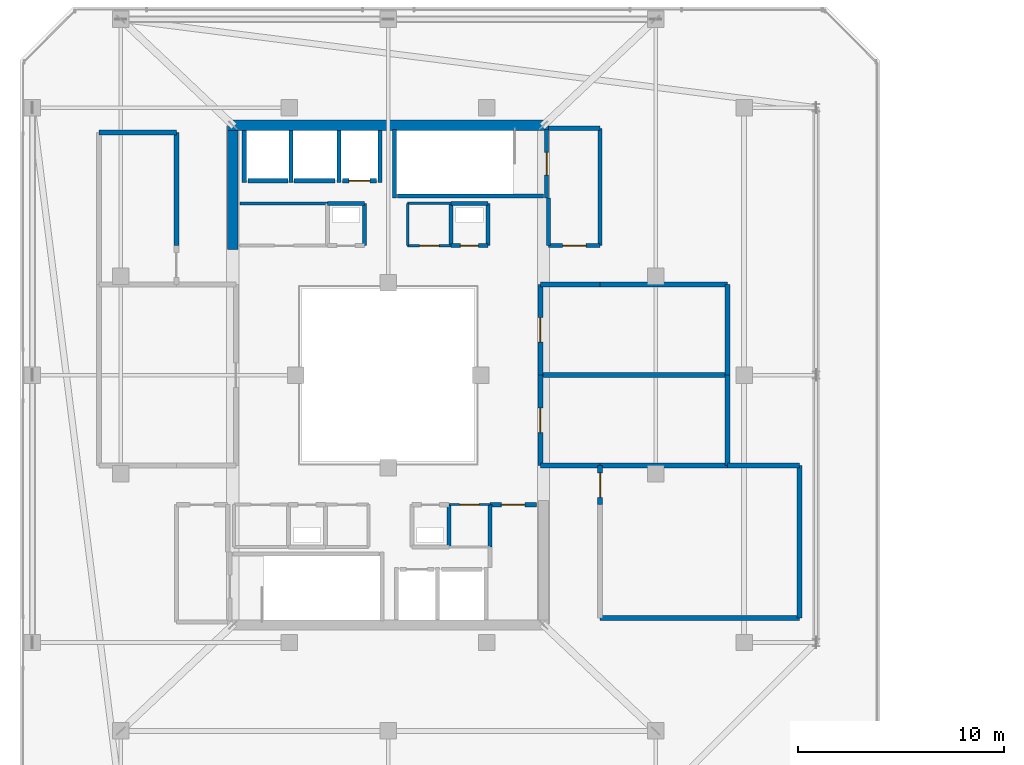
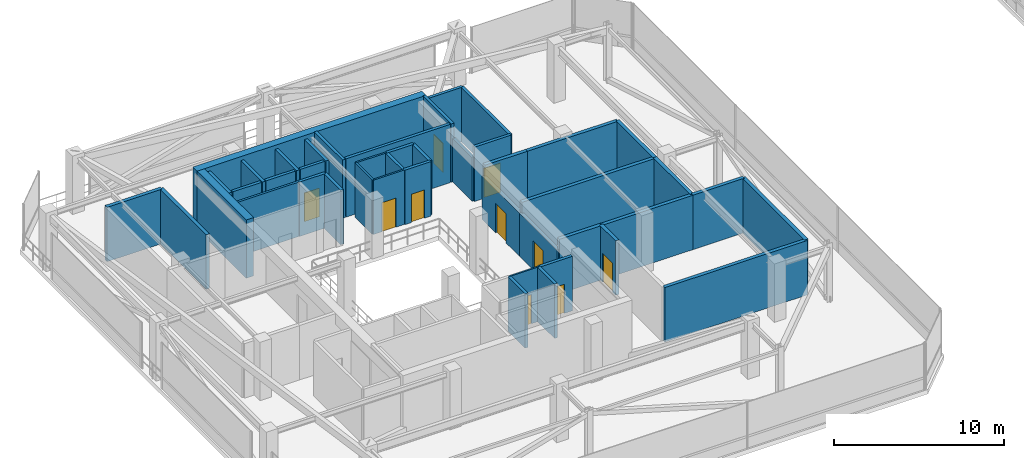
# One storey, part 42 of 47: 45 walls, 10 doors, 10 openings.
"""IFC4 building model written with IfcOpenShell, lengths in metres."""

from ifc_helpers import new_model, si_unit, direction, frame, frame_2d, origin, place, context, subcontext, project, spatial, rectangle, extrude, material, layer, layer_set, type_object, element, fill, save


model = new_model("IFC4")

# Units and contexts
model_context = context("Model", 3, precision=1e-05, world=origin(), true_north=direction((0.0, 1.0)))
body_context = subcontext(model_context, "Body", "Model", "MODEL_VIEW")
ifc_project = project(units=[si_unit("LENGTHUNIT", "METRE"), si_unit("AREAUNIT", "SQUARE_METRE"), si_unit("VOLUMEUNIT", "CUBIC_METRE"), si_unit("PLANEANGLEUNIT", "RADIAN"), si_unit("MASSUNIT", "GRAM", prefix="KILO")], contexts=[model_context])

# Site, building, storey
site_placement = place(None, origin())
site = spatial("IfcSite", under=ifc_project, at=site_placement, CompositionType="ELEMENT")
building_placement = place(site_placement, origin())
building = spatial("IfcBuilding", under=site, at=building_placement, Name="Thornwick Lancets Civic Towers", CompositionType="ELEMENT")
storey_placement = place(building_placement, frame((0.0, 0.0, 279.89990234375)))
storey = spatial("IfcBuildingStorey", under=building, at=storey_placement, Name="C01", CompositionType="ELEMENT", Elevation=279.89990234375)

# Wall, opening, door
ifc_material_1 = material(Name="Concrete blockwork C40/50", Category="masonry")
ifc_layer_1 = layer(ifc_material_1, 0.199951171875, Name="Concrete blockwork C40/50")
ifc_layer_set_1 = layer_set([ifc_layer_1], Name="Concrete blockwork C40/50")
wall_type_1 = type_object("IfcWallType", Name="WALL_COMP_200", PredefinedType="STANDARD", material=ifc_layer_set_1)
wall_1_placement = place(storey_placement, frame((24.919921875, 36.449951171875, 0.0), z_axis=(0.0, 0.0, 1.0), x_axis=(-1.0, 0.0, 0.0)))
wall_1 = element("IfcWall", 1, at=wall_1_placement, inside=storey, type_object=wall_type_1, Name="C01 Hoistway Front Wall FL-A2", PredefinedType="STANDARD", context=body_context, shape_type="SweptSolid", body=[
    extrude(rectangle(XDim=1.639892578125, YDim=0.199951171875, at=frame_2d((0.81982421875, 0.0))), origin(), (0.0, 0.0, 1.0), 3.920166015625),
])
opening_1_placement = place(wall_1_placement, frame((0.31005859375, 0.0, 0.0)))
opening_1 = element("IfcOpeningElement", 2, at=opening_1_placement, cuts=wall_1, Name="Opening LD-FL-A2", PredefinedType="OPENING", context=body_context, shape_type="SweptSolid", body=[
    extrude(rectangle(XDim=1.02001953125, YDim=2.06005859375, at=frame_2d((0.510009765625, 1.030029296875))), frame((0.0, 0.10986328125, 0.0), z_axis=(0.0, -1.0, 0.0), x_axis=(1.0, 0.0, 0.0)), (0.0, 0.0, 1.0), 0.219970703125),
])
ifc_material_2 = material(Name="Brushed bronze stainless steel", Category="steel")
door_type_1 = type_object("IfcDoorType", Name="DOOR_LIFT_SLIDE", OperationType="SLIDING_TO_LEFT", PredefinedType="DOOR", material=ifc_material_2)
door_1_placement = place(opening_1_placement, origin())
door_1 = element("IfcDoor", 3, at=door_1_placement, inside=storey, type_object=door_type_1, Name="C01 Sliding Lift Landing Door LD-FL-A2", OperationType="SLIDING_TO_LEFT", OverallHeight=2.06005859375, OverallWidth=1.02001953125, PredefinedType="DOOR", context=body_context, shape_type="SweptSolid", body=[
    extrude(rectangle(XDim=1.02001953125, YDim=2.06005859375, at=frame_2d((0.510009765625, 1.030029296875))), frame((0.0, 0.02490234375, 0.0), z_axis=(0.0, -1.0, 0.0), x_axis=(1.0, 0.0, 0.0)), (0.0, 0.0, 1.0), 0.050048828125),
])
fill(opening_1, door_1)

# Walls
wall_2_placement = place(storey_placement, frame((22.919921875, 36.449951171875, 0.0), z_axis=(0.0, 0.0, 1.0), x_axis=(-1.0, 0.0, 0.0)))
element("IfcWall", 4, at=wall_2_placement, inside=storey, type_object=wall_type_1, Name="C01 Hoistway Front Wall PL-AH2", PredefinedType="STANDARD", context=body_context, shape_type="SweptSolid", body=[
    extrude(rectangle(XDim=1.989990234375, YDim=0.199951171875, at=frame_2d((0.9951171875, 0.0))), origin(), (0.0, 0.0, 1.0), 3.920166015625),
])
wall_3_placement = place(storey_placement, frame((20.6201171875, 36.449951171875, 0.0), z_axis=(0.0, 0.0, 1.0), x_axis=(-1.0, 0.0, 0.0)))
element("IfcWall", 5, at=wall_3_placement, inside=storey, type_object=wall_type_1, Name="C01 Hoistway Front Wall PL-AH3", PredefinedType="STANDARD", context=body_context, shape_type="SweptSolid", body=[
    extrude(rectangle(XDim=1.940185546875, YDim=0.199951171875, at=frame_2d((0.97021484375, 0.0))), origin(), (0.0, 0.0, 1.0), 3.920166015625),
])
for number, where, z_axis, x_axis, name in (
    (6, (25.10009765625, 36.35205078125, 0.0), (0.0, 0.0, 1.0), (0.0, 1.0, 0.0), "C01 Hoistway Shaft Wall FL-A2 E"),
    (7, (23.10009765625, 36.35205078125, 0.0), (0.0, 0.0, 1.0), (0.0, 1.0, 0.0), "C01 Hoistway Shaft Wall FL-A2 W"),
    (8, (20.77490234375, 36.35205078125, 0.0), (0.0, 0.0, 1.0), (0.0, 1.0, 0.0), "C01 Hoistway Shaft Wall PL-AH2 W"),
    (9, (18.5, 36.35205078125, 0.0), (0.0, 0.0, 1.0), (0.0, 1.0, 0.0), "C01 Hoistway Shaft Wall PL-AH3 W"),
):
    element("IfcWall", number, at=place(storey_placement, frame(where, z_axis=z_axis, x_axis=x_axis)), inside=storey, type_object=wall_type_1, Name=name, PredefinedType="STANDARD", context=body_context, shape_type="SweptSolid", body=[
        extrude(rectangle(XDim=2.535888671875, YDim=0.199951171875, at=frame_2d((1.26806640625, 0.0))), origin(), (0.0, 0.0, 1.0), 3.920166015625),
    ])

# Wall, opening, door
wall_4_placement = place(storey_placement, frame((33.300048828125, 33.300048828125, 0.0), z_axis=(0.0, 0.0, 1.0), x_axis=(1.0, 0.0, 0.0)))
wall_4 = element("IfcWall", 10, at=wall_4_placement, inside=storey, type_object=wall_type_1, Name="C01 Partition C01-A-FFLOB2 E1", PredefinedType="STANDARD", context=body_context, shape_type="SweptSolid", body=[
    extrude(rectangle(XDim=2.5, YDim=0.199951171875, at=frame_2d((1.25, 0.0))), origin(), (0.0, 0.0, 1.0), 3.920166015625),
])
opening_2_placement = place(wall_4_placement, frame((0.675048828125, 0.0, 0.0)))
opening_2 = element("IfcOpeningElement", 11, at=opening_2_placement, cuts=wall_4, Name="Opening D-C01-3446", PredefinedType="OPENING", context=body_context, shape_type="SweptSolid", body=[
    extrude(rectangle(XDim=1.14990234375, YDim=2.10009765625, at=frame_2d((0.574951171875, 1.050048828125))), frame((0.0, 0.10986328125, 0.0), z_axis=(0.0, -1.0, 0.0), x_axis=(1.0, 0.0, 0.0)), (0.0, 0.0, 1.0), 0.219970703125),
])
ifc_material_3 = material(Name="Glazed fire-resisting steel", Category="steel")
door_type_2 = type_object("IfcDoorType", Name="DOOR_LOBBY_FD60", OperationType="NOTDEFINED", PredefinedType="DOOR", material=ifc_material_3)
door_2_placement = place(opening_2_placement, origin())
door_2 = element("IfcDoor", 12, at=door_2_placement, inside=storey, type_object=door_type_2, Name="C01 North Firefighting Lobby 2 Door", OperationType="SINGLE_SWING_LEFT", OverallHeight=2.10009765625, OverallWidth=1.14990234375, PredefinedType="DOOR", context=body_context, shape_type="SweptSolid", body=[
    extrude(rectangle(XDim=1.14990234375, YDim=2.10009765625, at=frame_2d((0.574951171875, 1.050048828125))), frame((0.0, 0.02490234375, 0.0), z_axis=(0.0, -1.0, 0.0), x_axis=(1.0, 0.0, 0.0)), (0.0, 0.0, 1.0), 0.050048828125),
])
fill(opening_2, door_2)

# Walls
wall_5_placement = place(storey_placement, frame((35.800048828125, 33.300048828125, 0.0), z_axis=(0.0, 0.0, 1.0), x_axis=(0.0, 1.0, 0.0)))
element("IfcWall", 13, at=wall_5_placement, inside=storey, type_object=wall_type_1, Name="C01 Partition C01-A-FFLOB2 E2", PredefinedType="STANDARD", context=body_context, shape_type="SweptSolid", body=[
    extrude(rectangle(XDim=5.699951171875, YDim=0.199951171875, at=frame_2d((2.85009765625, 0.0))), origin(), (0.0, 0.0, 1.0), 3.920166015625),
])
wall_6_placement = place(storey_placement, frame((35.800048828125, 39.0, 0.0), z_axis=(0.0, 0.0, 1.0), x_axis=(-1.0, 0.0, 0.0)))
element("IfcWall", 14, at=wall_6_placement, inside=storey, type_object=wall_type_1, Name="C01 Partition C01-A-FFLOB2 E3", PredefinedType="STANDARD", context=body_context, shape_type="SweptSolid", body=[
    extrude(rectangle(XDim=2.5, YDim=0.199951171875, at=frame_2d((1.25, 0.0))), origin(), (0.0, 0.0, 1.0), 3.920166015625),
])
wall_7_placement = place(storey_placement, frame((33.300048828125, 35.60009765625, 0.0), z_axis=(0.0, 0.0, 1.0), x_axis=(0.0, -1.0, 0.0)))
element("IfcWall", 15, at=wall_7_placement, inside=storey, type_object=wall_type_1, Name="C01 Partition C01-A-FFLOB2 E4", PredefinedType="STANDARD", context=body_context, shape_type="SweptSolid", body=[
    extrude(rectangle(XDim=2.300048828125, YDim=0.199951171875, at=frame_2d((1.14990234375, 0.0))), origin(), (0.0, 0.0, 1.0), 3.125),
])
for number, where, z_axis, x_axis, name in (
    (16, (28.449951171875, 18.64990234375, 0.0), (0.0, 0.0, 1.0), (0.0, 1.0, 0.0), "C01 Partition C01-A-DUCT1 E2"),
    (17, (24.35009765625, 33.300048828125, 0.0), (0.0, 0.0, 1.0), (0.0, 1.0, 0.0), "C01 Partition C01-A-DUCT2 E2"),
):
    element("IfcWall", number, at=place(storey_placement, frame(where, z_axis=z_axis, x_axis=x_axis)), inside=storey, type_object=wall_type_1, Name=name, PredefinedType="STANDARD", context=body_context, shape_type="SweptSolid", body=[
        extrude(rectangle(XDim=2.050048828125, YDim=0.199951171875, at=frame_2d((1.02490234375, 0.0))), origin(), (0.0, 0.0, 1.0), 3.920166015625),
    ])
wall_8_placement = place(storey_placement, frame((24.35009765625, 35.35009765625, 0.0), z_axis=(0.0, 0.0, 1.0), x_axis=(-1.0, 0.0, 0.0)))
element("IfcWall", 18, at=wall_8_placement, inside=storey, type_object=wall_type_1, Name="C01 Partition C01-A-DUCT2 E3", PredefinedType="STANDARD", context=body_context, shape_type="SweptSolid", body=[
    extrude(rectangle(XDim=1.800048828125, YDim=0.199951171875, at=frame_2d((0.89990234375, 0.0))), origin(), (0.0, 0.0, 1.0), 3.920166015625),
])

# Wall, opening, door
wall_9_placement = place(storey_placement, frame((28.550048828125, 33.300048828125, 0.0), z_axis=(0.0, 0.0, 1.0), x_axis=(1.0, 0.0, 0.0)))
wall_9 = element("IfcWall", 19, at=wall_9_placement, inside=storey, type_object=wall_type_1, Name="C01 Partition C01-A-RISER2 E1", PredefinedType="STANDARD", context=body_context, shape_type="SweptSolid", body=[
    extrude(rectangle(XDim=1.800048828125, YDim=0.199951171875, at=frame_2d((0.89990234375, 0.0))), origin(), (0.0, 0.0, 1.0), 3.920166015625),
])
opening_3_placement = place(wall_9_placement, frame((0.4599609375, 0.0, 0.0)))
opening_3 = element("IfcOpeningElement", 20, at=opening_3_placement, cuts=wall_9, Name="Opening D-C01-3450", PredefinedType="OPENING", context=body_context, shape_type="SweptSolid", body=[
    extrude(rectangle(XDim=0.8798828125, YDim=2.0400390625, at=frame_2d((0.43994140625, 1.02001953125))), frame((0.0, 0.10986328125, 0.0), z_axis=(0.0, -1.0, 0.0), x_axis=(1.0, 0.0, 0.0)), (0.0, 0.0, 1.0), 0.219970703125),
])
ifc_material_4 = material(Name="Steel riser access doorset", Category="steel")
door_type_3 = type_object("IfcDoorType", Name="DOOR_RISER_850", OperationType="NOTDEFINED", PredefinedType="DOOR", material=ifc_material_4)
door_3_placement = place(opening_3_placement, origin())
door_3 = element("IfcDoor", 21, at=door_3_placement, inside=storey, type_object=door_type_3, Name="C01 North Service Riser 2 Door", OperationType="SINGLE_SWING_LEFT", OverallHeight=2.0400390625, OverallWidth=0.8798828125, PredefinedType="DOOR", context=body_context, shape_type="SweptSolid", body=[
    extrude(rectangle(XDim=0.8798828125, YDim=2.0400390625, at=frame_2d((0.43994140625, 1.02001953125))), frame((0.0, 0.02490234375, 0.0), z_axis=(0.0, -1.0, 0.0), x_axis=(1.0, 0.0, 0.0)), (0.0, 0.0, 1.0), 0.050048828125),
])
fill(opening_3, door_3)

# Walls
wall_10_placement = place(storey_placement, frame((30.35009765625, 33.300048828125, 0.0), z_axis=(0.0, 0.0, 1.0), x_axis=(0.0, 1.0, 0.0)))
element("IfcWall", 22, at=wall_10_placement, inside=storey, type_object=wall_type_1, Name="C01 Partition C01-A-RISER2 E2", PredefinedType="STANDARD", context=body_context, shape_type="SweptSolid", body=[
    extrude(rectangle(XDim=2.050048828125, YDim=0.199951171875, at=frame_2d((1.02490234375, 0.0))), origin(), (0.0, 0.0, 1.0), 3.920166015625),
])
wall_11_placement = place(storey_placement, frame((30.35009765625, 35.35009765625, 0.0), z_axis=(0.0, 0.0, 1.0), x_axis=(-1.0, 0.0, 0.0)))
element("IfcWall", 23, at=wall_11_placement, inside=storey, type_object=wall_type_1, Name="C01 Partition C01-A-RISER2 E3", PredefinedType="STANDARD", context=body_context, shape_type="SweptSolid", body=[
    extrude(rectangle(XDim=1.800048828125, YDim=0.199951171875, at=frame_2d((0.89990234375, 0.0))), origin(), (0.0, 0.0, 1.0), 3.920166015625),
])
for number, where, z_axis, x_axis, name in (
    (24, (28.550048828125, 35.35009765625, 0.0), (0.0, 0.0, 1.0), (0.0, -1.0, 0.0), "C01 Partition C01-A-RISER2 E4"),
    (25, (30.449951171875, 18.64990234375, 0.0), (0.0, 0.0, 1.0), (0.0, 1.0, 0.0), "C01 Partition C01-A-ITR2 E4"),
):
    element("IfcWall", number, at=place(storey_placement, frame(where, z_axis=z_axis, x_axis=x_axis)), inside=storey, type_object=wall_type_1, Name=name, PredefinedType="STANDARD", context=body_context, shape_type="SweptSolid", body=[
        extrude(rectangle(XDim=2.050048828125, YDim=0.199951171875, at=frame_2d((1.02490234375, 0.0))), origin(), (0.0, 0.0, 1.0), 3.920166015625),
    ])

# Wall, opening, door
wall_12_placement = place(storey_placement, frame((30.449951171875, 20.699951171875, 0.0), z_axis=(0.0, 0.0, 1.0), x_axis=(1.0, 0.0, 0.0)))
wall_12 = element("IfcWall", 26, at=wall_12_placement, inside=storey, type_object=wall_type_1, Name="C01 Partition C01-A-ITR2 E5", PredefinedType="STANDARD", context=body_context, shape_type="SweptSolid", body=[
    extrude(rectangle(XDim=2.25, YDim=0.199951171875, at=frame_2d((1.125, 0.0))), origin(), (0.0, 0.0, 1.0), 3.920166015625),
])
opening_4_placement = place(wall_12_placement, frame((0.550048828125, 0.0, 0.0)))
opening_4 = element("IfcOpeningElement", 27, at=opening_4_placement, cuts=wall_12, Name="Opening D-C01-3454", PredefinedType="OPENING", context=body_context, shape_type="SweptSolid", body=[
    extrude(rectangle(XDim=1.14990234375, YDim=2.10009765625, at=frame_2d((0.574951171875, 1.050048828125))), frame((0.0, 0.10986328125, 0.0), z_axis=(0.0, -1.0, 0.0), x_axis=(1.0, 0.0, 0.0)), (0.0, 0.0, 1.0), 0.219970703125),
])
door_4_placement = place(opening_4_placement, origin())
door_4 = element("IfcDoor", 28, at=door_4_placement, inside=storey, type_object=door_type_2, Name="C01 Tower A Statutory Core Archive Door", OperationType="SINGLE_SWING_LEFT", OverallHeight=2.10009765625, OverallWidth=1.14990234375, PredefinedType="DOOR", context=body_context, shape_type="SweptSolid", body=[
    extrude(rectangle(XDim=1.14990234375, YDim=2.10009765625, at=frame_2d((0.574951171875, 1.050048828125))), frame((0.0, 0.02490234375, 0.0), z_axis=(0.0, -1.0, 0.0), x_axis=(1.0, 0.0, 0.0)), (0.0, 0.0, 1.0), 0.050048828125),
])
fill(opening_4, door_4)

# Walls
ifc_layer_2 = layer(ifc_material_1, 0.239990234375, Name="Concrete blockwork C40/50")
ifc_layer_set_2 = layer_set([ifc_layer_2], Name="Concrete blockwork C40/50")
wall_type_2 = type_object("IfcWallType", Name="WALL_COMP_240", PredefinedType="STANDARD", material=ifc_layer_set_2)
wall_13_placement = place(storey_placement, frame((32.89990234375, 27.0, 0.0), z_axis=(0.0, 0.0, 1.0), x_axis=(1.0, 0.0, 0.0)))
element("IfcWall", 29, at=wall_13_placement, inside=storey, type_object=wall_type_2, Name="C01 Partition C01-A-PL-SMK E1", PredefinedType="STANDARD", context=body_context, shape_type="SweptSolid", body=[
    extrude(rectangle(XDim=9.10009765625, YDim=0.239990234375, at=frame_2d((4.550048828125, 0.0))), origin(), (0.0, 0.0, 1.0), 3.920166015625),
])
wall_14_placement = place(storey_placement, frame((42.0, 27.0, 0.0), z_axis=(0.0, 0.0, 1.0), x_axis=(0.0, -1.0, 0.0)))
element("IfcWall", 30, at=wall_14_placement, inside=storey, type_object=wall_type_2, Name="C01 Partition C01-A-PL-SMK E2", PredefinedType="STANDARD", context=body_context, shape_type="SweptSolid", body=[
    extrude(rectangle(XDim=4.39990234375, YDim=0.239990234375, at=frame_2d((2.199951171875, 0.0))), origin(), (0.0, 0.0, 1.0), 3.920166015625),
])
wall_15_placement = place(storey_placement, frame((42.0, 22.60009765625, 0.0), z_axis=(0.0, 0.0, 1.0), x_axis=(-1.0, 0.0, 0.0)))
element("IfcWall", 31, at=wall_15_placement, inside=storey, type_object=wall_type_2, Name="C01 Partition C01-A-PL-SMK E3", PredefinedType="STANDARD", context=body_context, shape_type="SweptSolid", body=[
    extrude(rectangle(XDim=6.199951171875, YDim=0.239990234375, at=frame_2d((3.10009765625, 0.0))), origin(), (0.0, 0.0, 1.0), 3.920166015625),
])
wall_16_placement = place(storey_placement, frame((35.800048828125, 22.60009765625, 0.0), z_axis=(0.0, 0.0, 1.0), x_axis=(-1.0, 0.0, 0.0)))
element("IfcWall", 32, at=wall_16_placement, inside=storey, type_object=wall_type_2, Name="C01 Partition C01-A-PL-SMK E4", PredefinedType="STANDARD", context=body_context, shape_type="SweptSolid", body=[
    extrude(rectangle(XDim=2.900146484375, YDim=0.239990234375, at=frame_2d((1.4501953125, 0.0))), origin(), (0.0, 0.0, 1.0), 3.920166015625),
])

# Wall, opening, door
wall_17_placement = place(storey_placement, frame((32.89990234375, 22.60009765625, 0.0), z_axis=(0.0, 0.0, 1.0), x_axis=(0.0, 1.0, 0.0)))
wall_17 = element("IfcWall", 33, at=wall_17_placement, inside=storey, type_object=wall_type_2, Name="C01 Partition C01-A-PL-SMK E5", PredefinedType="STANDARD", context=body_context, shape_type="SweptSolid", body=[
    extrude(rectangle(XDim=4.39990234375, YDim=0.239990234375, at=frame_2d((2.199951171875, 0.0))), origin(), (0.0, 0.0, 1.0), 3.125),
])
opening_5_placement = place(wall_17_placement, frame((1.60009765625, 0.0, 0.0)))
opening_5 = element("IfcOpeningElement", 34, at=opening_5_placement, cuts=wall_17, Name="Opening D-C01-3469", PredefinedType="OPENING", context=body_context, shape_type="SweptSolid", body=[
    extrude(rectangle(XDim=1.199951171875, YDim=2.10009765625, at=frame_2d((0.60009765625, 1.050048828125))), frame((0.0, 0.1298828125, 0.0), z_axis=(0.0, -1.0, 0.0), x_axis=(1.0, 0.0, 0.0)), (0.0, 0.0, 1.0), 0.260009765625),
])
ifc_material_5 = material(Name="Steel plant room doorset", Category="steel")
door_type_4 = type_object("IfcDoorType", Name="DOOR_PLANT_1200", OperationType="NOTDEFINED", PredefinedType="DOOR", material=ifc_material_5)
door_5_placement = place(opening_5_placement, origin())
door_5 = element("IfcDoor", 35, at=door_5_placement, inside=storey, type_object=door_type_4, Name="C01 Tower A Smoke Extract Fan Plant Room Door", OperationType="SINGLE_SWING_RIGHT", OverallHeight=2.10009765625, OverallWidth=1.199951171875, PredefinedType="DOOR", context=body_context, shape_type="SweptSolid", body=[
    extrude(rectangle(XDim=1.199951171875, YDim=2.10009765625, at=frame_2d((0.60009765625, 1.050048828125))), frame((0.0, 0.02490234375, 0.0), z_axis=(0.0, -1.0, 0.0), x_axis=(1.0, 0.0, 0.0)), (0.0, 0.0, 1.0), 0.050048828125),
])
fill(opening_5, door_5)

# Walls
wall_18_placement = place(storey_placement, frame((32.89990234375, 31.39990234375, 0.0), z_axis=(0.0, 0.0, 1.0), x_axis=(1.0, 0.0, 0.0)))
element("IfcWall", 36, at=wall_18_placement, inside=storey, type_object=wall_type_2, Name="C01 Partition C01-A-PL-PRS E1", PredefinedType="STANDARD", context=body_context, shape_type="SweptSolid", body=[
    extrude(rectangle(XDim=2.900146484375, YDim=0.239990234375, at=frame_2d((1.4501953125, 0.0))), origin(), (0.0, 0.0, 1.0), 3.920166015625),
])
wall_19_placement = place(storey_placement, frame((35.800048828125, 31.39990234375, 0.0), z_axis=(0.0, 0.0, 1.0), x_axis=(1.0, 0.0, 0.0)))
element("IfcWall", 37, at=wall_19_placement, inside=storey, type_object=wall_type_2, Name="C01 Partition C01-A-PL-PRS E2", PredefinedType="STANDARD", context=body_context, shape_type="SweptSolid", body=[
    extrude(rectangle(XDim=6.199951171875, YDim=0.239990234375, at=frame_2d((3.10009765625, 0.0))), origin(), (0.0, 0.0, 1.0), 3.920166015625),
])
wall_20_placement = place(storey_placement, frame((42.0, 31.39990234375, 0.0), z_axis=(0.0, 0.0, 1.0), x_axis=(0.0, -1.0, 0.0)))
element("IfcWall", 38, at=wall_20_placement, inside=storey, type_object=wall_type_2, Name="C01 Partition C01-A-PL-PRS E3", PredefinedType="STANDARD", context=body_context, shape_type="SweptSolid", body=[
    extrude(rectangle(XDim=4.39990234375, YDim=0.239990234375, at=frame_2d((2.199951171875, 0.0))), origin(), (0.0, 0.0, 1.0), 3.920166015625),
])

# Wall, opening, door
wall_21_placement = place(storey_placement, frame((32.89990234375, 27.0, 0.0), z_axis=(0.0, 0.0, 1.0), x_axis=(0.0, 1.0, 0.0)))
wall_21 = element("IfcWall", 39, at=wall_21_placement, inside=storey, type_object=wall_type_2, Name="C01 Partition C01-A-PL-PRS E5", PredefinedType="STANDARD", context=body_context, shape_type="SweptSolid", body=[
    extrude(rectangle(XDim=4.39990234375, YDim=0.239990234375, at=frame_2d((2.199951171875, 0.0))), origin(), (0.0, 0.0, 1.0), 3.125),
])
opening_6_placement = place(wall_21_placement, frame((1.60009765625, 0.0, 0.0)))
opening_6 = element("IfcOpeningElement", 40, at=opening_6_placement, cuts=wall_21, Name="Opening D-C01-3470", PredefinedType="OPENING", context=body_context, shape_type="SweptSolid", body=[
    extrude(rectangle(XDim=1.199951171875, YDim=2.10009765625, at=frame_2d((0.60009765625, 1.050048828125))), frame((0.0, 0.1298828125, 0.0), z_axis=(0.0, -1.0, 0.0), x_axis=(1.0, 0.0, 0.0)), (0.0, 0.0, 1.0), 0.260009765625),
])
door_6_placement = place(opening_6_placement, origin())
door_6 = element("IfcDoor", 41, at=door_6_placement, inside=storey, type_object=door_type_4, Name="C01 Tower A Pressurisation Air Handling Plant Room Door", OperationType="SINGLE_SWING_LEFT", OverallHeight=2.10009765625, OverallWidth=1.199951171875, PredefinedType="DOOR", context=body_context, shape_type="SweptSolid", body=[
    extrude(rectangle(XDim=1.199951171875, YDim=2.10009765625, at=frame_2d((0.60009765625, 1.050048828125))), frame((0.0, 0.02490234375, 0.0), z_axis=(0.0, -1.0, 0.0), x_axis=(1.0, 0.0, 0.0)), (0.0, 0.0, 1.0), 0.050048828125),
])
fill(opening_6, door_6)

wall_22_placement = place(storey_placement, frame((35.800048828125, 20.699951171875, 0.0), z_axis=(0.0, 0.0, 1.0), x_axis=(0.0, 1.0, 0.0)))
wall_22 = element("IfcWall", 42, at=wall_22_placement, inside=storey, type_object=wall_type_2, Name="C01 Partition C01-A-PL-CHL E1", PredefinedType="STANDARD", context=body_context, shape_type="SweptSolid", body=[
    extrude(rectangle(XDim=1.900146484375, YDim=0.239990234375, at=frame_2d((0.9501953125, 0.0))), origin(), (0.0, 0.0, 1.0), 3.920166015625),
])
opening_7_placement = place(wall_22_placement, frame((0.35009765625, 0.0, 0.0)))
opening_7 = element("IfcOpeningElement", 43, at=opening_7_placement, cuts=wall_22, Name="Opening D-C01-3472", PredefinedType="OPENING", context=body_context, shape_type="SweptSolid", body=[
    extrude(rectangle(XDim=1.199951171875, YDim=2.10009765625, at=frame_2d((0.60009765625, 1.050048828125))), frame((0.0, 0.1298828125, 0.0), z_axis=(0.0, -1.0, 0.0), x_axis=(1.0, 0.0, 0.0)), (0.0, 0.0, 1.0), 0.260009765625),
])
door_7_placement = place(opening_7_placement, origin())
door_7 = element("IfcDoor", 44, at=door_7_placement, inside=storey, type_object=door_type_4, Name="C01 Tower A Chiller and Heat-Pump Plant Room Door", OperationType="SINGLE_SWING_LEFT", OverallHeight=2.10009765625, OverallWidth=1.199951171875, PredefinedType="DOOR", context=body_context, shape_type="SweptSolid", body=[
    extrude(rectangle(XDim=1.199951171875, YDim=2.10009765625, at=frame_2d((0.60009765625, 1.050048828125))), frame((0.0, 0.02490234375, 0.0), z_axis=(0.0, -1.0, 0.0), x_axis=(1.0, 0.0, 0.0)), (0.0, 0.0, 1.0), 0.050048828125),
])
fill(opening_7, door_7)

# Walls
wall_23_placement = place(storey_placement, frame((42.0, 22.60009765625, 0.0), z_axis=(0.0, 0.0, 1.0), x_axis=(1.0, 0.0, 0.0)))
element("IfcWall", 45, at=wall_23_placement, inside=storey, type_object=wall_type_2, Name="C01 Partition C01-A-PL-CHL E3", PredefinedType="STANDARD", context=body_context, shape_type="SweptSolid", body=[
    extrude(rectangle(XDim=3.5, YDim=0.239990234375, at=frame_2d((1.75, 0.0))), origin(), (0.0, 0.0, 1.0), 3.920166015625),
])
wall_24_placement = place(storey_placement, frame((45.5, 22.60009765625, 0.0), z_axis=(0.0, 0.0, 1.0), x_axis=(0.0, -1.0, 0.0)))
element("IfcWall", 46, at=wall_24_placement, inside=storey, type_object=wall_type_2, Name="C01 Partition C01-A-PL-CHL E4", PredefinedType="STANDARD", context=body_context, shape_type="SweptSolid", body=[
    extrude(rectangle(XDim=7.400146484375, YDim=0.239990234375, at=frame_2d((3.7001953125, 0.0))), origin(), (0.0, 0.0, 1.0), 3.920166015625),
])
wall_25_placement = place(storey_placement, frame((45.5, 15.199951171875, 0.0), z_axis=(0.0, 0.0, 1.0), x_axis=(-1.0, 0.0, 0.0)))
element("IfcWall", 47, at=wall_25_placement, inside=storey, type_object=wall_type_2, Name="C01 Partition C01-A-PL-CHL E5", PredefinedType="STANDARD", context=body_context, shape_type="SweptSolid", body=[
    extrude(rectangle(XDim=9.699951171875, YDim=0.239990234375, at=frame_2d((4.85009765625, 0.0))), origin(), (0.0, 0.0, 1.0), 3.920166015625),
])
wall_26_placement = place(storey_placement, frame((11.449951171875, 38.800048828125, 0.0), z_axis=(0.0, 0.0, 1.0), x_axis=(1.0, 0.0, 0.0)))
element("IfcWall", 48, at=wall_26_placement, inside=storey, type_object=wall_type_2, Name="C01 Partition C01-A-PL-ELC E4", PredefinedType="STANDARD", context=body_context, shape_type="SweptSolid", body=[
    extrude(rectangle(XDim=3.75, YDim=0.239990234375, at=frame_2d((1.875, 0.0))), origin(), (0.0, 0.0, 1.0), 3.920166015625),
])
wall_27_placement = place(storey_placement, frame((15.199951171875, 38.800048828125, 0.0), z_axis=(0.0, 0.0, 1.0), x_axis=(0.0, -1.0, 0.0)))
element("IfcWall", 49, at=wall_27_placement, inside=storey, type_object=wall_type_2, Name="C01 Partition C01-A-PL-ELC E5", PredefinedType="STANDARD", context=body_context, shape_type="SweptSolid", body=[
    extrude(rectangle(XDim=5.5, YDim=0.239990234375, at=frame_2d((2.75, 0.0))), origin(), (0.0, 0.0, 1.0), 3.920166015625),
])
ifc_material_6 = material(Name="Concrete C50/60", Category="concrete")
ifc_layer_3 = layer(ifc_material_6, 0.5, Name="Concrete C50/60")
ifc_layer_set_3 = layer_set([ifc_layer_3], Name="Concrete C50/60")
wall_type_3 = type_object("IfcWallType", Name="WALL_CORE_500", PredefinedType="SHEAR", material=ifc_layer_set_3)
wall_28_placement = place(storey_placement, frame((17.699951171875, 39.14990234375, 0.0), z_axis=(0.0, 0.0, 1.0), x_axis=(1.0, 0.0, 0.0)))
element("IfcWall", 50, at=wall_28_placement, inside=storey, type_object=wall_type_3, Name="C01 Split Core A2 Shear Wall N", PredefinedType="SHEAR", context=body_context, shape_type="SweptSolid", body=[
    extrude(rectangle(XDim=15.60009765625, YDim=0.5, at=frame_2d((7.800048828125, 0.0))), origin(), (0.0, 0.0, 1.0), 4.2001953125),
])
wall_29_placement = place(storey_placement, frame((17.949951171875, 33.10009765625, 0.0), z_axis=(0.0, 0.0, 1.0), x_axis=(0.0, 1.0, 0.0)))
element("IfcWall", 51, at=wall_29_placement, inside=storey, type_object=wall_type_3, Name="C01 Split Core A2 Shear Wall W", PredefinedType="SHEAR", context=body_context, shape_type="SweptSolid", body=[
    extrude(rectangle(XDim=5.7998046875, YDim=0.5, at=frame_2d((2.89990234375, 0.0))), origin(), (0.0, 0.0, 1.0), 4.2001953125),
])

# Wall, opening, door
ifc_material_7 = material(Name="Lightweight cellular office partition")
ifc_layer_4 = layer(ifc_material_7, 0.10009765625, Name="Lightweight cellular office partition")
ifc_layer_set_4 = layer_set([ifc_layer_4], Name="Lightweight cellular office partition")
wall_type_4 = type_object("IfcWallType", Name="WALL_PART_100", PredefinedType="PARTITIONING", material=ifc_layer_set_4)
wall_30_placement = place(storey_placement, frame((28.449951171875, 20.699951171875, 0.0), z_axis=(0.0, 0.0, 1.0), x_axis=(1.0, 0.0, 0.0)))
wall_30 = element("IfcWall", 52, at=wall_30_placement, inside=storey, type_object=wall_type_4, Name="C01 Partition C01-A-CLN E4", PredefinedType="PARTITIONING", context=body_context, shape_type="SweptSolid", body=[
    extrude(rectangle(XDim=2.0, YDim=0.10009765625, at=frame_2d((1.0, 0.0))), origin(), (0.0, 0.0, 1.0), 3.920166015625),
])
opening_8_placement = place(wall_30_placement, frame((0.52490234375, 0.0, 0.0)))
opening_8 = element("IfcOpeningElement", 53, at=opening_8_placement, cuts=wall_30, Name="Opening D-C01-3453", PredefinedType="OPENING", context=body_context, shape_type="SweptSolid", body=[
    extrude(rectangle(XDim=0.949951171875, YDim=2.10009765625, at=frame_2d((0.47509765625, 1.050048828125))), frame((0.0, 0.06005859375, 0.0), z_axis=(0.0, -1.0, 0.0), x_axis=(1.0, 0.0, 0.0)), (0.0, 0.0, 1.0), 0.1201171875),
])
ifc_material_8 = material(Name="European oak acoustic doorset")
door_type_5 = type_object("IfcDoorType", Name="DOOR_OFFICE_950", OperationType="NOTDEFINED", PredefinedType="DOOR", material=ifc_material_8)
door_8_placement = place(opening_8_placement, origin())
door_8 = element("IfcDoor", 54, at=door_8_placement, inside=storey, type_object=door_type_5, Name="C01 Tower A Cleaners Store Door", OperationType="SINGLE_SWING_RIGHT", OverallHeight=2.10009765625, OverallWidth=0.949951171875, PredefinedType="DOOR", context=body_context, shape_type="SweptSolid", body=[
    extrude(rectangle(XDim=0.949951171875, YDim=2.10009765625, at=frame_2d((0.47509765625, 1.050048828125))), frame((0.0, 0.02490234375, 0.0), z_axis=(0.0, -1.0, 0.0), x_axis=(1.0, 0.0, 0.0)), (0.0, 0.0, 1.0), 0.050048828125),
])
fill(opening_8, door_8)

# Walls
ifc_material_9 = material(Name="Acoustic gypsum board partition")
ifc_layer_5 = layer(ifc_material_9, 0.1201171875, Name="Acoustic gypsum board partition")
ifc_layer_set_5 = layer_set([ifc_layer_5], Name="Acoustic gypsum board partition")
wall_type_5 = type_object("IfcWallType", Name="WALL_PART_120", PredefinedType="PARTITIONING", material=ifc_layer_set_5)
wall_31_placement = place(storey_placement, frame((26.449951171875, 33.300048828125, 0.0), z_axis=(0.0, 0.0, 1.0), x_axis=(0.0, 1.0, 0.0)))
element("IfcWall", 55, at=wall_31_placement, inside=storey, type_object=wall_type_5, Name="C01 Partition C01-A-ITR E1", PredefinedType="PARTITIONING", context=body_context, shape_type="SweptSolid", body=[
    extrude(rectangle(XDim=2.050048828125, YDim=0.1201171875, at=frame_2d((1.02490234375, 0.0))), origin(), (0.0, 0.0, 1.0), 3.920166015625),
])
wall_32_placement = place(storey_placement, frame((26.449951171875, 35.35009765625, 0.0), z_axis=(0.0, 0.0, 1.0), x_axis=(1.0, 0.0, 0.0)))
element("IfcWall", 56, at=wall_32_placement, inside=storey, type_object=wall_type_5, Name="C01 Partition C01-A-ITR E2", PredefinedType="PARTITIONING", context=body_context, shape_type="SweptSolid", body=[
    extrude(rectangle(XDim=2.10009765625, YDim=0.1201171875, at=frame_2d((1.050048828125, 0.0))), origin(), (0.0, 0.0, 1.0), 3.920166015625),
])

# Wall, opening, door
wall_33_placement = place(storey_placement, frame((28.550048828125, 33.300048828125, 0.0), z_axis=(0.0, 0.0, 1.0), x_axis=(-1.0, 0.0, 0.0)))
wall_33 = element("IfcWall", 57, at=wall_33_placement, inside=storey, type_object=wall_type_5, Name="C01 Partition C01-A-ITR E4", PredefinedType="PARTITIONING", context=body_context, shape_type="SweptSolid", body=[
    extrude(rectangle(XDim=2.10009765625, YDim=0.1201171875, at=frame_2d((1.050048828125, 0.0))), origin(), (0.0, 0.0, 1.0), 3.920166015625),
])
opening_9_placement = place(wall_33_placement, frame((0.574951171875, 0.0, 0.0)))
opening_9 = element("IfcOpeningElement", 58, at=opening_9_placement, cuts=wall_33, Name="Opening D-C01-3456", PredefinedType="OPENING", context=body_context, shape_type="SweptSolid", body=[
    extrude(rectangle(XDim=0.949951171875, YDim=2.10009765625, at=frame_2d((0.47509765625, 1.050048828125))), frame((0.0, 0.070068359375, 0.0), z_axis=(0.0, -1.0, 0.0), x_axis=(1.0, 0.0, 0.0)), (0.0, 0.0, 1.0), 0.14013671875),
])
door_9_placement = place(opening_9_placement, origin())
door_9 = element("IfcDoor", 59, at=door_9_placement, inside=storey, type_object=door_type_5, Name="C01 Tower A Comms Patch Room Door", OperationType="SINGLE_SWING_LEFT", OverallHeight=2.10009765625, OverallWidth=0.949951171875, PredefinedType="DOOR", context=body_context, shape_type="SweptSolid", body=[
    extrude(rectangle(XDim=0.949951171875, YDim=2.10009765625, at=frame_2d((0.47509765625, 1.050048828125))), frame((0.0, 0.02490234375, 0.0), z_axis=(0.0, -1.0, 0.0), x_axis=(1.0, 0.0, 0.0)), (0.0, 0.0, 1.0), 0.050048828125),
])
fill(opening_9, door_9)

# Wall
ifc_material_10 = material(Name="Twin-stud acoustic gypsum board")
ifc_layer_6 = layer(ifc_material_10, 0.14990234375, Name="Twin-stud acoustic gypsum board")
ifc_layer_set_6 = layer_set([ifc_layer_6], Name="Twin-stud acoustic gypsum board")
wall_type_6 = type_object("IfcWallType", Name="WALL_PART_150", PredefinedType="PARTITIONING", material=ifc_layer_set_6)
wall_34_placement = place(storey_placement, frame((18.300048828125, 35.35009765625, 0.0), z_axis=(0.0, 0.0, 1.0), x_axis=(1.0, 0.0, 0.0)))
element("IfcWall", 60, at=wall_34_placement, inside=storey, type_object=wall_type_6, Name="C01 Partition C01-A-FWC E2", PredefinedType="PARTITIONING", context=body_context, shape_type="SweptSolid", body=[
    extrude(rectangle(XDim=4.25, YDim=0.14990234375, at=frame_2d((2.125, 0.0))), origin(), (0.0, 0.0, 1.0), 3.920166015625),
])

# Wall, opening, door
ifc_material_11 = material(Name="Concrete C40/50", Category="concrete")
ifc_layer_7 = layer(ifc_material_11, 0.199951171875, Name="Concrete C40/50")
ifc_layer_set_7 = layer_set([ifc_layer_7], Name="Concrete C40/50")
wall_type_7 = type_object("IfcWallType", Name="WALL_SHAFT_200", PredefinedType="SHEAR", material=ifc_layer_set_7)
wall_35_placement = place(storey_placement, frame((33.199951171875, 38.949951171875, 0.0), z_axis=(0.0, 0.0, 1.0), x_axis=(0.0, -1.0, 0.0)))
wall_35 = element("IfcWall", 61, at=wall_35_placement, inside=storey, type_object=wall_type_7, Name="C01 ST-A2 Fire Stair Core Wall NEAR", PredefinedType="SHEAR", context=body_context, shape_type="SweptSolid", body=[
    extrude(rectangle(XDim=3.349853515625, YDim=0.199951171875, at=frame_2d((1.6748046875, 0.0))), origin(), (0.0, 0.0, 1.0), 4.2001953125),
])
opening_10_placement = place(wall_35_placement, frame((1.125, 0.0, 0.0)))
opening_10 = element("IfcOpeningElement", 62, at=opening_10_placement, cuts=wall_35, Name="Opening D-ST-A2-C01", PredefinedType="OPENING", context=body_context, shape_type="SweptSolid", body=[
    extrude(rectangle(XDim=1.10009765625, YDim=2.10009765625, at=frame_2d((0.550048828125, 1.050048828125))), frame((0.0, 0.10986328125, 0.0), z_axis=(0.0, -1.0, 0.0), x_axis=(1.0, 0.0, 0.0)), (0.0, 0.0, 1.0), 0.219970703125),
])
ifc_material_12 = material(Name="Fire-resisting steel and hardwood", Category="steel")
door_type_6 = type_object("IfcDoorType", Name="DOOR_STAIR_FD60", OperationType="NOTDEFINED", PredefinedType="DOOR", material=ifc_material_12)
door_10_placement = place(opening_10_placement, origin())
door_10 = element("IfcDoor", 63, at=door_10_placement, inside=storey, type_object=door_type_6, Name="C01 ST-A2 Exit Stair Door", OperationType="SINGLE_SWING_LEFT", OverallHeight=2.10009765625, OverallWidth=1.10009765625, PredefinedType="DOOR", context=body_context, shape_type="SweptSolid", body=[
    extrude(rectangle(XDim=1.10009765625, YDim=2.10009765625, at=frame_2d((0.550048828125, 1.050048828125))), frame((0.0, 0.02490234375, 0.0), z_axis=(0.0, -1.0, 0.0), x_axis=(1.0, 0.0, 0.0)), (0.0, 0.0, 1.0), 0.050048828125),
])
fill(opening_10, door_10)

# Walls
wall_36_placement = place(storey_placement, frame((25.800048828125, 35.60009765625, 0.0), z_axis=(0.0, 0.0, 1.0), x_axis=(0.0, 1.0, 0.0)))
element("IfcWall", 64, at=wall_36_placement, inside=storey, type_object=wall_type_7, Name="C01 ST-A2 Fire Stair Core Wall FAR", PredefinedType="SHEAR", context=body_context, shape_type="SweptSolid", body=[
    extrude(rectangle(XDim=3.349853515625, YDim=0.199951171875, at=frame_2d((1.6748046875, 0.0))), origin(), (0.0, 0.0, 1.0), 4.2001953125),
])
wall_37_placement = place(storey_placement, frame((25.949951171875, 35.702880859375, 0.0), z_axis=(0.0, 0.0, 1.0), x_axis=(1.0, 0.0, 0.0)))
element("IfcWall", 65, at=wall_37_placement, inside=storey, type_object=wall_type_7, Name="C01 ST-A2 Fire Stair Core Wall RIGHT", PredefinedType="SHEAR", context=body_context, shape_type="SweptSolid", body=[
    extrude(rectangle(XDim=7.10009765625, YDim=0.199951171875, at=frame_2d((3.550048828125, 0.0))), origin(), (0.0, 0.0, 1.0), 4.2001953125),
])

save(model, "model.ifc")
